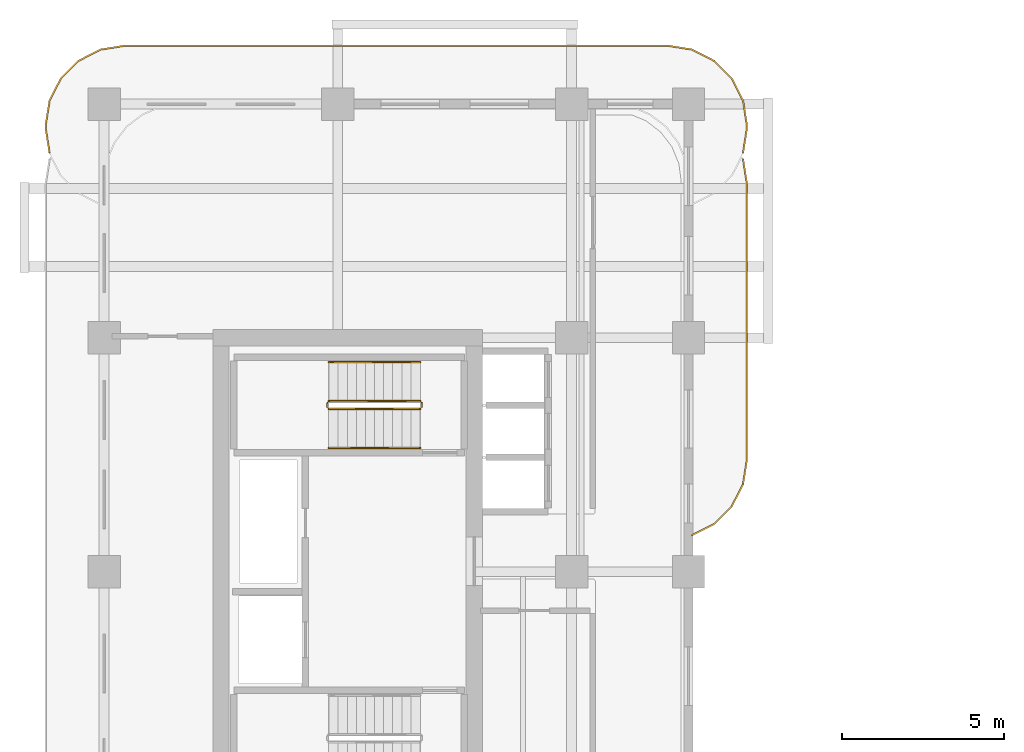
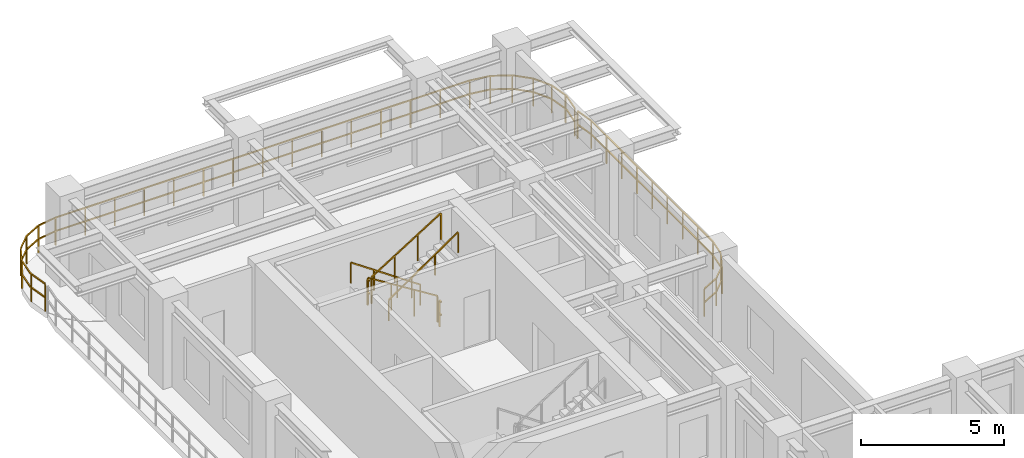
# One storey, part 13 of 13: 8 railings.
"""IFC4 building model written with IfcOpenShell, lengths in metres."""

from ifc_helpers import new_model, si_unit, derived_unit, direction, frame, origin, origin_2d, place, context, subcontext, project, spatial, rectangle, extrude, material, type_object, element, save


model = new_model("IFC4")

# Units and contexts
model_context = context("Model", 3, precision=1e-05, world=origin(), true_north=direction((0.0, 1.0)))
body_context = subcontext(model_context, "Body", "Model", "MODEL_VIEW")
ifc_project = project(units=[si_unit("LENGTHUNIT", "METRE"), si_unit("AREAUNIT", "SQUARE_METRE"), si_unit("VOLUMEUNIT", "CUBIC_METRE"), si_unit("PLANEANGLEUNIT", "RADIAN"), si_unit("MASSUNIT", "GRAM", prefix="KILO"), si_unit("THERMODYNAMICTEMPERATUREUNIT", "KELVIN"), si_unit("POWERUNIT", "WATT"), derived_unit("THERMALTRANSMITTANCEUNIT", [(si_unit("POWERUNIT", "WATT"), 1), (si_unit("AREAUNIT", "SQUARE_METRE"), -1), (si_unit("THERMODYNAMICTEMPERATUREUNIT", "KELVIN"), -1)])], contexts=[model_context])

# Site, building, storey
site_placement = place(None, origin())
site = spatial("IfcSite", under=ifc_project, at=site_placement, CompositionType="ELEMENT")
building_placement = place(site_placement, origin())
building = spatial("IfcBuilding", under=site, at=building_placement, Name="Zahravan Archway Hotel and Residences", CompositionType="ELEMENT")
storey_placement = place(building_placement, frame((0.0, 0.0, 181.10009765625)))
storey = spatial("IfcBuildingStorey", under=building, at=storey_placement, Name="L45", CompositionType="ELEMENT", Elevation=181.10009765625)

# Railings
ifc_material_1 = material(Name="Bronze & Laminated Glass Balustrade", Category="glass")
railing_type_1 = type_object("IfcRailingType", Name="RL-BAL-1200", PredefinedType="BALUSTRADE", material=ifc_material_1)
railing_1_placement = place(storey_placement, frame((-1.68017578125, 45.29296875, 0.0)))
element("IfcRailing", 1, at=railing_1_placement, inside=storey, type_object=railing_type_1, Name="L45 Balustrade RL-SLB-BAL-L45-NB-1", PredefinedType="BALUSTRADE", context=body_context, shape_type="SweptSolid", body=[
    extrude(rectangle(XDim=0.048095703125, YDim=0.048095703125, at=origin_2d()), frame((0.0, 0.0, 1.17578125), z_axis=(-0.156387811283, 0.987695728695, 0.0), x_axis=(-0.987695728695, -0.156387811283, 0.0)), (0.0, 0.0, 1.0), 0.7666015625),
    extrude(rectangle(XDim=0.048095703125, YDim=0.048095703125, at=origin_2d()), frame((0.0, 0.0, 0.60009765625), z_axis=(-0.156387811283, 0.987695728695, 0.0), x_axis=(-0.987695728695, -0.156387811283, 0.0)), (0.0, 0.0, 1.0), 0.7666015625),
    extrude(rectangle(XDim=0.048095703125, YDim=0.048095703125, at=origin_2d()), frame((-0.119873046875, 0.757080078125, 1.17578125), z_axis=(0.0, 1.0, 0.0), x_axis=(-1.0, 0.0, 0.0)), (0.0, 0.0, 1.0), 0.099853515625),
    extrude(rectangle(XDim=0.048095703125, YDim=0.048095703125, at=origin_2d()), frame((-0.119873046875, 0.757080078125, 0.60009765625), z_axis=(0.0, 1.0, 0.0), x_axis=(-1.0, 0.0, 0.0)), (0.0, 0.0, 1.0), 0.099853515625),
    extrude(rectangle(XDim=0.048095703125, YDim=0.048095703125, at=origin_2d()), frame((-0.119873046875, 0.85693359375, 1.17578125), z_axis=(0.156387811283, 0.987695728695, 0.0), x_axis=(-0.987695728695, 0.156387811283, 0.0)), (0.0, 0.0, 1.0), 0.7666015625),
    extrude(rectangle(XDim=0.048095703125, YDim=0.048095703125, at=origin_2d()), frame((-0.119873046875, 0.85693359375, 0.60009765625), z_axis=(0.156387811283, 0.987695728695, 0.0), x_axis=(-0.987695728695, 0.156387811283, 0.0)), (0.0, 0.0, 1.0), 0.7666015625),
    extrude(rectangle(XDim=0.048095703125, YDim=0.048095703125, at=origin_2d()), frame((0.0, 1.614013671875, 1.17578125), z_axis=(0.454078418624, 0.890961721815, 0.0), x_axis=(-0.890961721815, 0.454078418624, 0.0)), (0.0, 0.0, 1.0), 0.7666015625),
    extrude(rectangle(XDim=0.048095703125, YDim=0.048095703125, at=origin_2d()), frame((0.0, 1.614013671875, 0.60009765625), z_axis=(0.454078418624, 0.890961721815, 0.0), x_axis=(-0.890961721815, 0.454078418624, 0.0)), (0.0, 0.0, 1.0), 0.7666015625),
    extrude(rectangle(XDim=0.048095703125, YDim=0.048095703125, at=origin_2d()), frame((0.34814453125, 2.297119140625, 1.17578125), z_axis=(0.707106781187, 0.707106781187, 0.0), x_axis=(-0.707106781187, 0.707106781187, 0.0)), (0.0, 0.0, 1.0), 0.7666015625),
    extrude(rectangle(XDim=0.048095703125, YDim=0.048095703125, at=origin_2d()), frame((0.34814453125, 2.297119140625, 0.60009765625), z_axis=(0.707106781187, 0.707106781187, 0.0), x_axis=(-0.707106781187, 0.707106781187, 0.0)), (0.0, 0.0, 1.0), 0.7666015625),
    extrude(rectangle(XDim=0.048095703125, YDim=0.048095703125, at=origin_2d()), frame((0.89013671875, 2.839111328125, 1.17578125), z_axis=(0.891024909783, 0.453954414172, 0.0), x_axis=(-0.453954414172, 0.891024909783, 0.0)), (0.0, 0.0, 1.0), 0.766357421875),
    extrude(rectangle(XDim=0.048095703125, YDim=0.048095703125, at=origin_2d()), frame((0.89013671875, 2.839111328125, 0.60009765625), z_axis=(0.891024909783, 0.453954414172, 0.0), x_axis=(-0.453954414172, 0.891024909783, 0.0)), (0.0, 0.0, 1.0), 0.766357421875),
    extrude(rectangle(XDim=0.048095703125, YDim=0.048095703125, at=origin_2d()), frame((1.572998046875, 3.18701171875, 1.17578125), z_axis=(0.987646484274, 0.156698507018, 0.0), x_axis=(-0.156698507018, 0.987646484274, 0.0)), (0.0, 0.0, 1.0), 0.7666015625),
    extrude(rectangle(XDim=0.048095703125, YDim=0.048095703125, at=origin_2d()), frame((1.572998046875, 3.18701171875, 0.60009765625), z_axis=(0.987646484274, 0.156698507018, 0.0), x_axis=(-0.156698507018, 0.987646484274, 0.0)), (0.0, 0.0, 1.0), 0.7666015625),
    extrude(rectangle(XDim=0.048095703125, YDim=0.048095703125, at=origin_2d()), frame((2.330078125, 3.30712890625, 1.17578125), z_axis=(1.0, 0.0, 0.0), x_axis=(0.0, 1.0, 0.0)), (0.0, 0.0, 1.0), 16.7001953125),
    extrude(rectangle(XDim=0.048095703125, YDim=0.048095703125, at=origin_2d()), frame((2.330078125, 3.30712890625, 0.60009765625), z_axis=(1.0, 0.0, 0.0), x_axis=(0.0, 1.0, 0.0)), (0.0, 0.0, 1.0), 16.7001953125),
    extrude(rectangle(XDim=0.048095703125, YDim=0.048095703125, at=origin_2d()), frame((19.0302734375, 3.30712890625, 1.17578125), z_axis=(0.987646484274, -0.156698507018, 0.0), x_axis=(0.156698507018, 0.987646484274, 0.0)), (0.0, 0.0, 1.0), 0.7666015625),
    extrude(rectangle(XDim=0.048095703125, YDim=0.048095703125, at=origin_2d()), frame((19.0302734375, 3.30712890625, 0.60009765625), z_axis=(0.987646484274, -0.156698507018, 0.0), x_axis=(0.156698507018, 0.987646484274, 0.0)), (0.0, 0.0, 1.0), 0.7666015625),
    extrude(rectangle(XDim=0.048095703125, YDim=0.048095703125, at=origin_2d()), frame((19.787353515625, 3.18701171875, 1.17578125), z_axis=(0.891024909783, -0.453954414172, 0.0), x_axis=(0.453954414172, 0.891024909783, 0.0)), (0.0, 0.0, 1.0), 0.766357421875),
    extrude(rectangle(XDim=0.048095703125, YDim=0.048095703125, at=origin_2d()), frame((19.787353515625, 3.18701171875, 0.60009765625), z_axis=(0.891024909783, -0.453954414172, 0.0), x_axis=(0.453954414172, 0.891024909783, 0.0)), (0.0, 0.0, 1.0), 0.766357421875),
    extrude(rectangle(XDim=0.048095703125, YDim=0.048095703125, at=origin_2d()), frame((20.47021484375, 2.839111328125, 1.17578125), z_axis=(0.707106781187, -0.707106781187, 0.0), x_axis=(0.707106781187, 0.707106781187, 0.0)), (0.0, 0.0, 1.0), 0.7666015625),
    extrude(rectangle(XDim=0.048095703125, YDim=0.048095703125, at=origin_2d()), frame((20.47021484375, 2.839111328125, 0.60009765625), z_axis=(0.707106781187, -0.707106781187, 0.0), x_axis=(0.707106781187, 0.707106781187, 0.0)), (0.0, 0.0, 1.0), 0.7666015625),
    extrude(rectangle(XDim=0.048095703125, YDim=0.048095703125, at=origin_2d()), frame((21.01220703125, 2.297119140625, 1.17578125), z_axis=(0.454078418624, -0.890961721815, 0.0), x_axis=(0.890961721815, 0.454078418624, 0.0)), (0.0, 0.0, 1.0), 0.7666015625),
    extrude(rectangle(XDim=0.048095703125, YDim=0.048095703125, at=origin_2d()), frame((21.01220703125, 2.297119140625, 0.60009765625), z_axis=(0.454078418624, -0.890961721815, 0.0), x_axis=(0.890961721815, 0.454078418624, 0.0)), (0.0, 0.0, 1.0), 0.7666015625),
    extrude(rectangle(XDim=0.048095703125, YDim=0.048095703125, at=origin_2d()), frame((21.3603515625, 1.614013671875, 1.17578125), z_axis=(0.156387811283, -0.987695728695, 0.0), x_axis=(0.987695728695, 0.156387811283, 0.0)), (0.0, 0.0, 1.0), 0.7666015625),
    extrude(rectangle(XDim=0.048095703125, YDim=0.048095703125, at=origin_2d()), frame((21.3603515625, 1.614013671875, 0.60009765625), z_axis=(0.156387811283, -0.987695728695, 0.0), x_axis=(0.987695728695, 0.156387811283, 0.0)), (0.0, 0.0, 1.0), 0.7666015625),
    extrude(rectangle(XDim=0.048095703125, YDim=0.048095703125, at=origin_2d()), frame((21.480224609375, 0.85693359375, 1.17578125), z_axis=(0.0, -1.0, 0.0), x_axis=(1.0, 0.0, 0.0)), (0.0, 0.0, 1.0), 0.099853515625),
    extrude(rectangle(XDim=0.048095703125, YDim=0.048095703125, at=origin_2d()), frame((21.480224609375, 0.85693359375, 0.60009765625), z_axis=(0.0, -1.0, 0.0), x_axis=(1.0, 0.0, 0.0)), (0.0, 0.0, 1.0), 0.099853515625),
    extrude(rectangle(XDim=0.048095703125, YDim=0.048095703125, at=origin_2d()), frame((21.480224609375, 0.757080078125, 1.17578125), z_axis=(-0.156387811283, -0.987695728695, 0.0), x_axis=(0.987695728695, -0.156387811283, 0.0)), (0.0, 0.0, 1.0), 0.7666015625),
    extrude(rectangle(XDim=0.048095703125, YDim=0.048095703125, at=origin_2d()), frame((21.480224609375, 0.757080078125, 0.60009765625), z_axis=(-0.156387811283, -0.987695728695, 0.0), x_axis=(0.987695728695, -0.156387811283, 0.0)), (0.0, 0.0, 1.0), 0.7666015625),
    extrude(rectangle(XDim=0.0419921875, YDim=0.0419921875, at=origin_2d()), origin(), (0.0, 0.0, 1.0), 1.15185546875),
    extrude(rectangle(XDim=0.0419921875, YDim=0.0419921875, at=origin_2d()), frame((-0.119873046875, 0.757080078125, 0.0)), (0.0, 0.0, 1.0), 1.15185546875),
    extrude(rectangle(XDim=0.0419921875, YDim=0.0419921875, at=origin_2d()), frame((0.0, 1.614013671875, 0.0)), (0.0, 0.0, 1.0), 1.15185546875),
    extrude(rectangle(XDim=0.0419921875, YDim=0.0419921875, at=origin_2d()), frame((0.34814453125, 2.297119140625, 0.0)), (0.0, 0.0, 1.0), 1.15185546875),
    extrude(rectangle(XDim=0.0419921875, YDim=0.0419921875, at=origin_2d()), frame((0.89013671875, 2.839111328125, 0.0)), (0.0, 0.0, 1.0), 1.15185546875),
    extrude(rectangle(XDim=0.0419921875, YDim=0.0419921875, at=origin_2d()), frame((1.572998046875, 3.18701171875, 0.0)), (0.0, 0.0, 1.0), 1.15185546875),
    extrude(rectangle(XDim=0.0419921875, YDim=0.0419921875, at=origin_2d()), frame((2.330078125, 3.30712890625, 0.0)), (0.0, 0.0, 1.0), 1.15185546875),
    extrude(rectangle(XDim=0.0419921875, YDim=0.0419921875, at=origin_2d()), frame((3.52294921875, 3.30712890625, 0.0)), (0.0, 0.0, 1.0), 1.15185546875),
    extrude(rectangle(XDim=0.0419921875, YDim=0.0419921875, at=origin_2d()), frame((4.7158203125, 3.30712890625, 0.0)), (0.0, 0.0, 1.0), 1.15185546875),
    extrude(rectangle(XDim=0.0419921875, YDim=0.0419921875, at=origin_2d()), frame((5.90869140625, 3.30712890625, 0.0)), (0.0, 0.0, 1.0), 1.15185546875),
    extrude(rectangle(XDim=0.0419921875, YDim=0.0419921875, at=origin_2d()), frame((7.1015625, 3.30712890625, 0.0)), (0.0, 0.0, 1.0), 1.15185546875),
    extrude(rectangle(XDim=0.0419921875, YDim=0.0419921875, at=origin_2d()), frame((8.29443359375, 3.30712890625, 0.0)), (0.0, 0.0, 1.0), 1.15185546875),
    extrude(rectangle(XDim=0.0419921875, YDim=0.0419921875, at=origin_2d()), frame((9.4873046875, 3.30712890625, 0.0)), (0.0, 0.0, 1.0), 1.15185546875),
    extrude(rectangle(XDim=0.0419921875, YDim=0.0419921875, at=origin_2d()), frame((10.68017578125, 3.30712890625, 0.0)), (0.0, 0.0, 1.0), 1.15185546875),
    extrude(rectangle(XDim=0.0419921875, YDim=0.0419921875, at=origin_2d()), frame((11.873046875, 3.30712890625, 0.0)), (0.0, 0.0, 1.0), 1.15185546875),
    extrude(rectangle(XDim=0.0419921875, YDim=0.0419921875, at=origin_2d()), frame((13.06591796875, 3.30712890625, 0.0)), (0.0, 0.0, 1.0), 1.15185546875),
    extrude(rectangle(XDim=0.0419921875, YDim=0.0419921875, at=origin_2d()), frame((14.2587890625, 3.30712890625, 0.0)), (0.0, 0.0, 1.0), 1.15185546875),
    extrude(rectangle(XDim=0.0419921875, YDim=0.0419921875, at=origin_2d()), frame((15.45166015625, 3.30712890625, 0.0)), (0.0, 0.0, 1.0), 1.15185546875),
    extrude(rectangle(XDim=0.0419921875, YDim=0.0419921875, at=origin_2d()), frame((16.64453125, 3.30712890625, 0.0)), (0.0, 0.0, 1.0), 1.15185546875),
    extrude(rectangle(XDim=0.0419921875, YDim=0.0419921875, at=origin_2d()), frame((17.83740234375, 3.30712890625, 0.0)), (0.0, 0.0, 1.0), 1.15185546875),
    extrude(rectangle(XDim=0.0419921875, YDim=0.0419921875, at=origin_2d()), frame((19.0302734375, 3.30712890625, 0.0)), (0.0, 0.0, 1.0), 1.15185546875),
    extrude(rectangle(XDim=0.0419921875, YDim=0.0419921875, at=origin_2d()), frame((19.787353515625, 3.18701171875, 0.0)), (0.0, 0.0, 1.0), 1.15185546875),
    extrude(rectangle(XDim=0.0419921875, YDim=0.0419921875, at=origin_2d()), frame((20.47021484375, 2.839111328125, 0.0)), (0.0, 0.0, 1.0), 1.15185546875),
    extrude(rectangle(XDim=0.0419921875, YDim=0.0419921875, at=origin_2d()), frame((21.01220703125, 2.297119140625, 0.0)), (0.0, 0.0, 1.0), 1.15185546875),
    extrude(rectangle(XDim=0.0419921875, YDim=0.0419921875, at=origin_2d()), frame((21.3603515625, 1.614013671875, 0.0)), (0.0, 0.0, 1.0), 1.15185546875),
    extrude(rectangle(XDim=0.0419921875, YDim=0.0419921875, at=origin_2d()), frame((21.480224609375, 0.85693359375, 0.0)), (0.0, 0.0, 1.0), 1.15185546875),
    extrude(rectangle(XDim=0.0419921875, YDim=0.0419921875, at=origin_2d()), frame((21.3603515625, 0.0, 0.0)), (0.0, 0.0, 1.0), 1.15185546875),
])
railing_2_placement = place(storey_placement, frame((19.68017578125, 45.107177734375, 0.0)))
element("IfcRailing", 2, at=railing_2_placement, inside=storey, type_object=railing_type_1, Name="L45 Balustrade RL-SLB-BAL-L45-EB-1", PredefinedType="BALUSTRADE", context=body_context, shape_type="SweptSolid", body=[
    extrude(rectangle(XDim=0.048095703125, YDim=0.048095703125, at=origin_2d()), frame((0.0, 0.0, 1.17578125), z_axis=(0.156387811283, -0.987695728695, 0.0), x_axis=(0.987695728695, 0.156387811283, 0.0)), (0.0, 0.0, 1.0), 0.7666015625),
    extrude(rectangle(XDim=0.048095703125, YDim=0.048095703125, at=origin_2d()), frame((0.0, 0.0, 0.60009765625), z_axis=(0.156387811283, -0.987695728695, 0.0), x_axis=(0.987695728695, 0.156387811283, 0.0)), (0.0, 0.0, 1.0), 0.7666015625),
    extrude(rectangle(XDim=0.048095703125, YDim=0.048095703125, at=origin_2d()), frame((0.119873046875, -0.757080078125, 1.17578125), z_axis=(0.0, -1.0, 0.0), x_axis=(1.0, 0.0, 0.0)), (0.0, 0.0, 1.0), 8.5),
    extrude(rectangle(XDim=0.048095703125, YDim=0.048095703125, at=origin_2d()), frame((0.119873046875, -0.757080078125, 0.60009765625), z_axis=(0.0, -1.0, 0.0), x_axis=(1.0, 0.0, 0.0)), (0.0, 0.0, 1.0), 8.5),
    extrude(rectangle(XDim=0.048095703125, YDim=0.048095703125, at=origin_2d()), frame((0.119873046875, -9.257080078125, 1.17578125), z_axis=(-0.156387811283, -0.987695728695, 0.0), x_axis=(0.987695728695, -0.156387811283, 0.0)), (0.0, 0.0, 1.0), 0.7666015625),
    extrude(rectangle(XDim=0.048095703125, YDim=0.048095703125, at=origin_2d()), frame((0.119873046875, -9.257080078125, 0.60009765625), z_axis=(-0.156387811283, -0.987695728695, 0.0), x_axis=(0.987695728695, -0.156387811283, 0.0)), (0.0, 0.0, 1.0), 0.7666015625),
    extrude(rectangle(XDim=0.048095703125, YDim=0.048095703125, at=origin_2d()), frame((0.0, -10.01416015625, 1.17578125), z_axis=(-0.454078418624, -0.890961721815, 0.0), x_axis=(0.890961721815, -0.454078418624, 0.0)), (0.0, 0.0, 1.0), 0.7666015625),
    extrude(rectangle(XDim=0.048095703125, YDim=0.048095703125, at=origin_2d()), frame((0.0, -10.01416015625, 0.60009765625), z_axis=(-0.454078418624, -0.890961721815, 0.0), x_axis=(0.890961721815, -0.454078418624, 0.0)), (0.0, 0.0, 1.0), 0.7666015625),
    extrude(rectangle(XDim=0.048095703125, YDim=0.048095703125, at=origin_2d()), frame((-0.34814453125, -10.697265625, 1.17578125), z_axis=(-0.707106781187, -0.707106781187, 0.0), x_axis=(0.707106781187, -0.707106781187, 0.0)), (0.0, 0.0, 1.0), 0.7666015625),
    extrude(rectangle(XDim=0.048095703125, YDim=0.048095703125, at=origin_2d()), frame((-0.34814453125, -10.697265625, 0.60009765625), z_axis=(-0.707106781187, -0.707106781187, 0.0), x_axis=(0.707106781187, -0.707106781187, 0.0)), (0.0, 0.0, 1.0), 0.7666015625),
    extrude(rectangle(XDim=0.048095703125, YDim=0.048095703125, at=origin_2d()), frame((-0.89013671875, -11.2392578125, 1.17578125), z_axis=(-0.891024909783, -0.453954414172, 0.0), x_axis=(0.453954414172, -0.891024909783, 0.0)), (0.0, 0.0, 1.0), 0.766357421875),
    extrude(rectangle(XDim=0.048095703125, YDim=0.048095703125, at=origin_2d()), frame((-0.89013671875, -11.2392578125, 0.60009765625), z_axis=(-0.891024909783, -0.453954414172, 0.0), x_axis=(0.453954414172, -0.891024909783, 0.0)), (0.0, 0.0, 1.0), 0.766357421875),
    extrude(rectangle(XDim=0.0419921875, YDim=0.0419921875, at=origin_2d()), origin(), (0.0, 0.0, 1.0), 1.15185546875),
    extrude(rectangle(XDim=0.0419921875, YDim=0.0419921875, at=origin_2d()), frame((0.119873046875, -0.757080078125, 0.0)), (0.0, 0.0, 1.0), 1.15185546875),
    extrude(rectangle(XDim=0.0419921875, YDim=0.0419921875, at=origin_2d()), frame((0.119873046875, -1.819580078125, 0.0)), (0.0, 0.0, 1.0), 1.15185546875),
    extrude(rectangle(XDim=0.0419921875, YDim=0.0419921875, at=origin_2d()), frame((0.119873046875, -2.882080078125, 0.0)), (0.0, 0.0, 1.0), 1.15185546875),
    extrude(rectangle(XDim=0.0419921875, YDim=0.0419921875, at=origin_2d()), frame((0.119873046875, -3.944580078125, 0.0)), (0.0, 0.0, 1.0), 1.15185546875),
    extrude(rectangle(XDim=0.0419921875, YDim=0.0419921875, at=origin_2d()), frame((0.119873046875, -5.007080078125, 0.0)), (0.0, 0.0, 1.0), 1.15185546875),
    extrude(rectangle(XDim=0.0419921875, YDim=0.0419921875, at=origin_2d()), frame((0.119873046875, -6.069580078125, 0.0)), (0.0, 0.0, 1.0), 1.15185546875),
    extrude(rectangle(XDim=0.0419921875, YDim=0.0419921875, at=origin_2d()), frame((0.119873046875, -7.132080078125, 0.0)), (0.0, 0.0, 1.0), 1.15185546875),
    extrude(rectangle(XDim=0.0419921875, YDim=0.0419921875, at=origin_2d()), frame((0.119873046875, -8.194580078125, 0.0)), (0.0, 0.0, 1.0), 1.15185546875),
    extrude(rectangle(XDim=0.0419921875, YDim=0.0419921875, at=origin_2d()), frame((0.119873046875, -9.257080078125, 0.0)), (0.0, 0.0, 1.0), 1.15185546875),
    extrude(rectangle(XDim=0.0419921875, YDim=0.0419921875, at=origin_2d()), frame((0.0, -10.01416015625, 0.0)), (0.0, 0.0, 1.0), 1.15185546875),
    extrude(rectangle(XDim=0.0419921875, YDim=0.0419921875, at=origin_2d()), frame((-0.34814453125, -10.697265625, 0.0)), (0.0, 0.0, 1.0), 1.15185546875),
    extrude(rectangle(XDim=0.0419921875, YDim=0.0419921875, at=origin_2d()), frame((-0.89013671875, -11.2392578125, 0.0)), (0.0, 0.0, 1.0), 1.15185546875),
    extrude(rectangle(XDim=0.0419921875, YDim=0.0419921875, at=origin_2d()), frame((-1.572998046875, -11.587158203125, 0.0)), (0.0, 0.0, 1.0), 1.15185546875),
])
ifc_material_2 = material(Name="Painted Tubular Steel", Category="steel")
railing_type_2 = type_object("IfcRailingType", Name="RL-STG-1150", PredefinedType="GUARDRAIL", material=ifc_material_2)
railing_3_placement = place(storey_placement, frame((9.72998046875, 37.64990234375, 0.1748046875)))
element("IfcRailing", 3, at=railing_3_placement, inside=storey, type_object=railing_type_2, Name="L45 ST-B2 stair guard 1", PredefinedType="GUARDRAIL", context=body_context, shape_type="SweptSolid", body=[
    extrude(rectangle(XDim=0.048095703125, YDim=0.048095703125, at=origin_2d()), frame((0.0, 0.0, 1.1259765625), z_axis=(-0.848002457836, 0.0, 0.529992293815), x_axis=(0.0, -1.0, 0.0)), (0.0, 0.0, 1.0), 3.302001953125),
    extrude(rectangle(XDim=0.0419921875, YDim=0.0419921875, at=origin_2d()), origin(), (0.0, 0.0, 1.0), 1.101806640625),
    extrude(rectangle(XDim=0.0419921875, YDim=0.0419921875, at=origin_2d()), frame((-0.933349609375, 0.0, 0.583251953125)), (0.0, 0.0, 1.0), 1.101806640625),
    extrude(rectangle(XDim=0.0419921875, YDim=0.0419921875, at=origin_2d()), frame((-1.86669921875, 0.0, 1.166748046875)), (0.0, 0.0, 1.0), 1.101806640625),
    extrude(rectangle(XDim=0.0419921875, YDim=0.0419921875, at=origin_2d()), frame((-2.800048828125, 0.0, 1.75)), (0.0, 0.0, 1.0), 1.101806640625),
])
railing_4_placement = place(storey_placement, frame((6.8798828125, 37.60009765625, 1.9248046875)))
element("IfcRailing", 4, at=railing_4_placement, inside=storey, type_object=railing_type_2, Name="L45 ST-B2 stair guard 2", PredefinedType="GUARDRAIL", context=body_context, shape_type="SweptSolid", body=[
    extrude(rectangle(XDim=0.048095703125, YDim=0.048095703125, at=origin_2d()), frame((0.0, 0.0, 1.1259765625), z_axis=(0.0, -1.0, 0.0), x_axis=(1.0, 0.0, 0.0)), (0.0, 0.0, 1.0), 0.14013671875),
    extrude(rectangle(XDim=0.048095703125, YDim=0.048095703125, at=origin_2d()), frame((0.0, 0.0, 0.574951171875), z_axis=(0.0, -1.0, 0.0), x_axis=(1.0, 0.0, 0.0)), (0.0, 0.0, 1.0), 0.14013671875),
    extrude(rectangle(XDim=0.0419921875, YDim=0.0419921875, at=origin_2d()), origin(), (0.0, 0.0, 1.0), 1.101806640625),
])
railing_5_placement = place(storey_placement, frame((6.929931640625, 37.409912109375, 2.099853515625)))
element("IfcRailing", 5, at=railing_5_placement, inside=storey, type_object=railing_type_2, Name="L45 ST-B2 stair guard 3", PredefinedType="GUARDRAIL", context=body_context, shape_type="SweptSolid", body=[
    extrude(rectangle(XDim=0.048095703125, YDim=0.048095703125, at=origin_2d()), frame((0.0, 0.0, 1.1259765625), z_axis=(0.848002457836, 0.0, 0.529992293815), x_axis=(0.0, 1.0, 0.0)), (0.0, 0.0, 1.0), 3.302001953125),
    extrude(rectangle(XDim=0.0419921875, YDim=0.0419921875, at=origin_2d()), origin(), (0.0, 0.0, 1.0), 1.101806640625),
    extrude(rectangle(XDim=0.0419921875, YDim=0.0419921875, at=origin_2d()), frame((0.933349609375, 0.0, 0.583251953125)), (0.0, 0.0, 1.0), 1.101806640625),
    extrude(rectangle(XDim=0.0419921875, YDim=0.0419921875, at=origin_2d()), frame((1.86669921875, 0.0, 1.166748046875)), (0.0, 0.0, 1.0), 1.101806640625),
    extrude(rectangle(XDim=0.0419921875, YDim=0.0419921875, at=origin_2d()), frame((2.800048828125, 0.0, 1.75)), (0.0, 0.0, 1.0), 1.101806640625),
])
railing_6_placement = place(storey_placement, frame((9.780029296875, 37.60009765625, 0.0)))
element("IfcRailing", 6, at=railing_6_placement, inside=storey, type_object=railing_type_2, Name="L45 ST-B2 stair guard 4", PredefinedType="GUARDRAIL", context=body_context, shape_type="SweptSolid", body=[
    extrude(rectangle(XDim=0.048095703125, YDim=0.048095703125, at=origin_2d()), frame((0.0, 0.0, 1.1259765625), z_axis=(0.0, -1.0, 0.0), x_axis=(1.0, 0.0, 0.0)), (0.0, 0.0, 1.0), 0.14013671875),
    extrude(rectangle(XDim=0.048095703125, YDim=0.048095703125, at=origin_2d()), frame((0.0, 0.0, 0.574951171875), z_axis=(0.0, -1.0, 0.0), x_axis=(1.0, 0.0, 0.0)), (0.0, 0.0, 1.0), 0.14013671875),
    extrude(rectangle(XDim=0.0419921875, YDim=0.0419921875, at=origin_2d()), origin(), (0.0, 0.0, 1.0), 1.101806640625),
])
ifc_material_3 = material(Name="Brushed Stainless Steel", Category="steel")
railing_type_3 = type_object("IfcRailingType", Name="RL-STH-900", PredefinedType="HANDRAIL", material=ifc_material_3)
railing_7_placement = place(storey_placement, frame((9.72998046875, 38.85009765625, 0.1748046875)))
element("IfcRailing", 7, at=railing_7_placement, inside=storey, type_object=railing_type_3, Name="L45 ST-B2 stair handrail 1", PredefinedType="HANDRAIL", context=body_context, shape_type="SweptSolid", body=[
    extrude(rectangle(XDim=0.048095703125, YDim=0.048095703125, at=origin_2d()), frame((0.0, 0.0, 0.8759765625), z_axis=(-0.824039827795, 0.0, 0.566531872191), x_axis=(0.0, -1.0, 0.0)), (0.0, 0.0, 1.0), 3.39794921875),
    extrude(rectangle(XDim=0.0419921875, YDim=0.0419921875, at=origin_2d()), origin(), (0.0, 0.0, 1.0), 0.851806640625),
    extrude(rectangle(XDim=0.0419921875, YDim=0.0419921875, at=origin_2d()), frame((-0.933349609375, 0.0, 0.6416015625)), (0.0, 0.0, 1.0), 0.851806640625),
    extrude(rectangle(XDim=0.0419921875, YDim=0.0419921875, at=origin_2d()), frame((-1.86669921875, 0.0, 1.283447265625)), (0.0, 0.0, 1.0), 0.851806640625),
    extrude(rectangle(XDim=0.0419921875, YDim=0.0419921875, at=origin_2d()), frame((-2.800048828125, 0.0, 1.925048828125)), (0.0, 0.0, 1.0), 0.851806640625),
])
railing_8_placement = place(storey_placement, frame((6.929931640625, 36.2099609375, 2.099853515625)))
element("IfcRailing", 8, at=railing_8_placement, inside=storey, type_object=railing_type_3, Name="L45 ST-B2 stair handrail 2", PredefinedType="HANDRAIL", context=body_context, shape_type="SweptSolid", body=[
    extrude(rectangle(XDim=0.048095703125, YDim=0.048095703125, at=origin_2d()), frame((0.0, 0.0, 0.8759765625), z_axis=(0.824039827795, 0.0, 0.566531872191), x_axis=(0.0, 1.0, 0.0)), (0.0, 0.0, 1.0), 3.39794921875),
    extrude(rectangle(XDim=0.0419921875, YDim=0.0419921875, at=origin_2d()), origin(), (0.0, 0.0, 1.0), 0.851806640625),
    extrude(rectangle(XDim=0.0419921875, YDim=0.0419921875, at=origin_2d()), frame((0.933349609375, 0.0, 0.6416015625)), (0.0, 0.0, 1.0), 0.851806640625),
    extrude(rectangle(XDim=0.0419921875, YDim=0.0419921875, at=origin_2d()), frame((1.86669921875, 0.0, 1.283447265625)), (0.0, 0.0, 1.0), 0.851806640625),
    extrude(rectangle(XDim=0.0419921875, YDim=0.0419921875, at=origin_2d()), frame((2.800048828125, 0.0, 1.925048828125)), (0.0, 0.0, 1.0), 0.851806640625),
])

save(model, "model.ifc")
